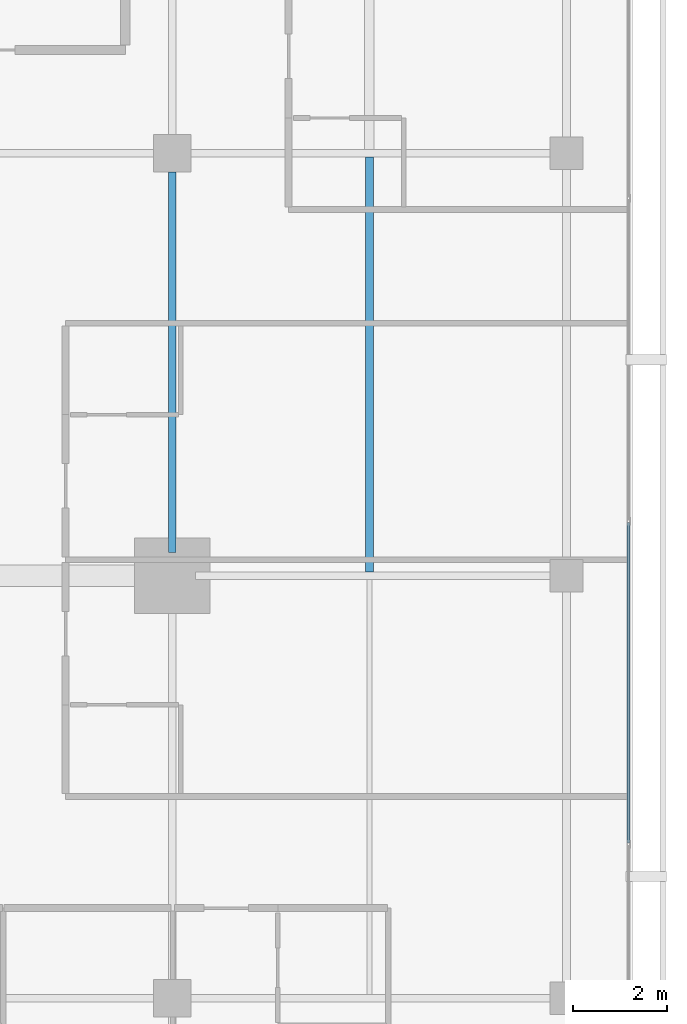
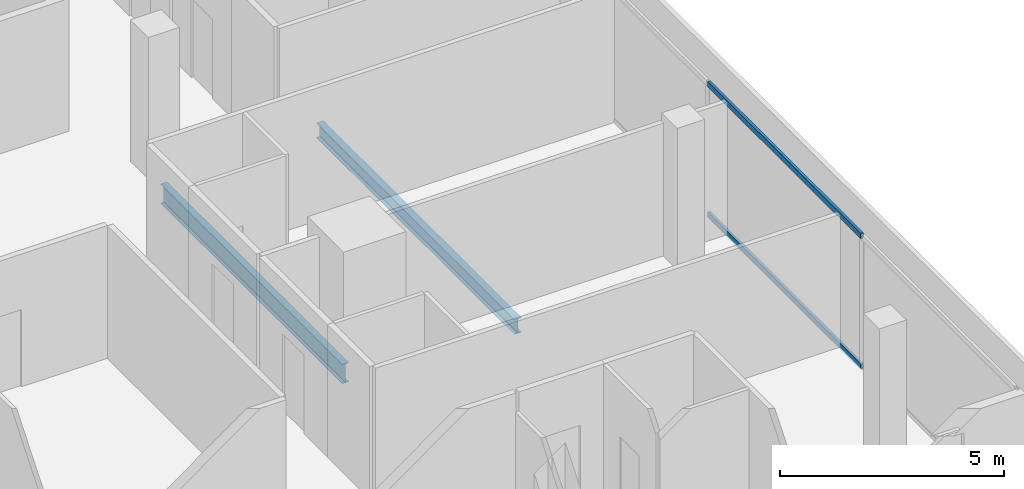
# One storey, part 13 of 26: 2 beams, 2 members, 1 element without a shape of its own.
"""IFC4 building model written with IfcOpenShell, lengths in metres."""

from ifc_helpers import new_model, si_unit, direction, frame, origin, origin_2d, place, context, subcontext, project, spatial, hollow_rectangle, i_section, extrude, material, layer, layer_set, material_profile, profile_set, type_object, element, aggregate, save


model = new_model("IFC4")

# Units and contexts
model_context = context("Model", 3, precision=1e-05, world=origin(), true_north=direction((0.0, 1.0)))
body_context = subcontext(model_context, "Body", "Model", "MODEL_VIEW")
ifc_project = project(units=[si_unit("LENGTHUNIT", "METRE"), si_unit("AREAUNIT", "SQUARE_METRE"), si_unit("VOLUMEUNIT", "CUBIC_METRE"), si_unit("PLANEANGLEUNIT", "RADIAN"), si_unit("MASSUNIT", "GRAM", prefix="KILO")], contexts=[model_context])

# Site, building, storey
site_placement = place(None, origin())
site = spatial("IfcSite", under=ifc_project, at=site_placement, CompositionType="ELEMENT")
building_placement = place(site_placement, origin())
building = spatial("IfcBuilding", under=site, at=building_placement, Name="Maruvema Waterfront Hotel and Observation Tower", CompositionType="ELEMENT")
storey_placement = place(building_placement, frame((0.0, 0.0, 293.300048828125)))
storey = spatial("IfcBuildingStorey", under=building, at=storey_placement, Name="L72", CompositionType="ELEMENT", Elevation=293.300048828125)

# Curtain wall, members
ifc_material_1 = material(Name="Anodised bronze aluminium and solar-control low-E IGU", Category="aluminium")
ifc_layer = layer(ifc_material_1, 0.159912109375, Name="Zone 3 Champagne Inner Thermal Curtain Wall System CW-04")
ifc_layer_set = layer_set([ifc_layer], Name="Anodised bronze aluminium and solar-control low-E IGU")
curtain_wall_type = type_object("IfcCurtainWallType", Name="Zone 3 Champagne Inner Thermal Curtain Wall System CW-04", PredefinedType="USERDEFINED", material=ifc_layer_set)
curtain_wall_placement = place(storey_placement, origin())
curtain_wall = element("IfcCurtainWall", 1, at=curtain_wall_placement, inside=storey, type_object=curtain_wall_type, Name="L72 Curtain Wall CW-L72-E", ObjectType="UNITISED CURTAIN WALL", PredefinedType="USERDEFINED")
ifc_material_2 = material(Name="Anodised architectural bronze aluminium", Category="aluminium")
ifc_material_profile_1 = material_profile(ifc_material_2, hollow_rectangle(XDim=0.070068359375, YDim=0.14990234375, WallThickness=0.00390625, at=origin_2d()), Name="ALU-T70x150")
ifc_profile_set_1 = profile_set([ifc_material_profile_1], Name="Anodised architectural bronze aluminium")
member_type = type_object("IfcMemberType", Name="Curtain Wall Horizontal Transom ALU-T70x150", PredefinedType="USERDEFINED", material=ifc_profile_set_1)
member_1_placement = place(storey_placement, frame((60.1201171875, 21.31005859375, 0.030029296875), z_axis=(0.0, 1.0, 0.0), x_axis=(-1.0, 0.0, 0.0)))
member_1 = element("IfcMember", 2, at=member_1_placement, type_object=member_type, Name="CW-04 transom 2.1", ObjectType="TRANSOM", PredefinedType="USERDEFINED", context=body_context, shape_type="SweptSolid", body=[
    extrude(hollow_rectangle(XDim=0.070068359375, YDim=0.14990234375, WallThickness=0.00390625, at=origin_2d()), origin(), (0.0, 0.0, 1.0), 6.81982421875),
])
member_2_placement = place(storey_placement, frame((60.1201171875, 21.31005859375, 3.579833984375), z_axis=(0.0, 1.0, 0.0), x_axis=(-1.0, 0.0, 0.0)))
member_2 = element("IfcMember", 3, at=member_2_placement, type_object=member_type, Name="CW-04 transom 2.2", ObjectType="TRANSOM", PredefinedType="USERDEFINED", context=body_context, shape_type="SweptSolid", body=[
    extrude(hollow_rectangle(XDim=0.070068359375, YDim=0.14990234375, WallThickness=0.00390625, at=origin_2d()), origin(), (0.0, 0.0, 1.0), 6.81982421875),
])
aggregate(curtain_wall, [member_1, member_2])

# Beams
ifc_material_3 = material(Name="Steel ASTM A572 Grade 50", Category="steel")
ifc_material_profile_2 = material_profile(ifc_material_3, i_section(OverallWidth=0.166015625, OverallDepth=0.529052734375, WebThickness=0.009765625, FlangeThickness=0.013671875, FilletRadius=0.014892578125, at=origin_2d()), Name="W530x74.0")
ifc_profile_set_2 = profile_set([ifc_material_profile_2], Name="Steel ASTM A572 Grade 50")
beam_type_1 = type_object("IfcBeamType", Name="Primary Floor Girder W530x74.0", PredefinedType="BEAM", material=ifc_profile_set_2)
beam_1_placement = place(storey_placement, frame((50.39990234375, 27.5, -0.504638671875), z_axis=(0.0, 1.0, 0.0), x_axis=(-1.0, 0.0, 0.0)))
element("IfcBeam", 4, at=beam_1_placement, inside=storey, type_object=beam_type_1, Name="L72 Floor Girder NS-14", PredefinedType="BEAM", context=body_context, shape_type="SweptSolid", body=[
    extrude(i_section(OverallWidth=0.166015625, OverallDepth=0.529052734375, WebThickness=0.009765625, FlangeThickness=0.013671875, FilletRadius=0.014892578125, at=origin_2d()), origin(), (0.0, 0.0, 1.0), 8.10009765625),
])
ifc_material_4 = material(Name="Steel ASTM A572 Grade 50", Category="steel")
ifc_material_profile_3 = material_profile(ifc_material_4, i_section(OverallWidth=0.177001953125, OverallDepth=0.403076171875, WebThickness=0.007568359375, FlangeThickness=0.010986328125, FilletRadius=0.014892578125, at=origin_2d()), Name="W410x53.0")
ifc_profile_set_3 = profile_set([ifc_material_profile_3], Name="Steel ASTM A572 Grade 50")
beam_type_2 = type_object("IfcBeamType", Name="Secondary Floor Joist W410x53.0", PredefinedType="JOIST", material=ifc_profile_set_3)
beam_2_placement = place(storey_placement, frame((54.60009765625, 27.0830078125, -0.441650390625), z_axis=(0.0, 1.0, 0.0), x_axis=(-1.0, 0.0, 0.0)))
element("IfcBeam", 5, at=beam_2_placement, inside=storey, type_object=beam_type_2, Name="L72 Secondary Floor Joist JS-08", PredefinedType="JOIST", context=body_context, shape_type="SweptSolid", body=[
    extrude(i_section(OverallWidth=0.177001953125, OverallDepth=0.403076171875, WebThickness=0.007568359375, FlangeThickness=0.010986328125, FilletRadius=0.014892578125, at=origin_2d()), origin(), (0.0, 0.0, 1.0), 8.833984375),
])

save(model, "model.ifc")
